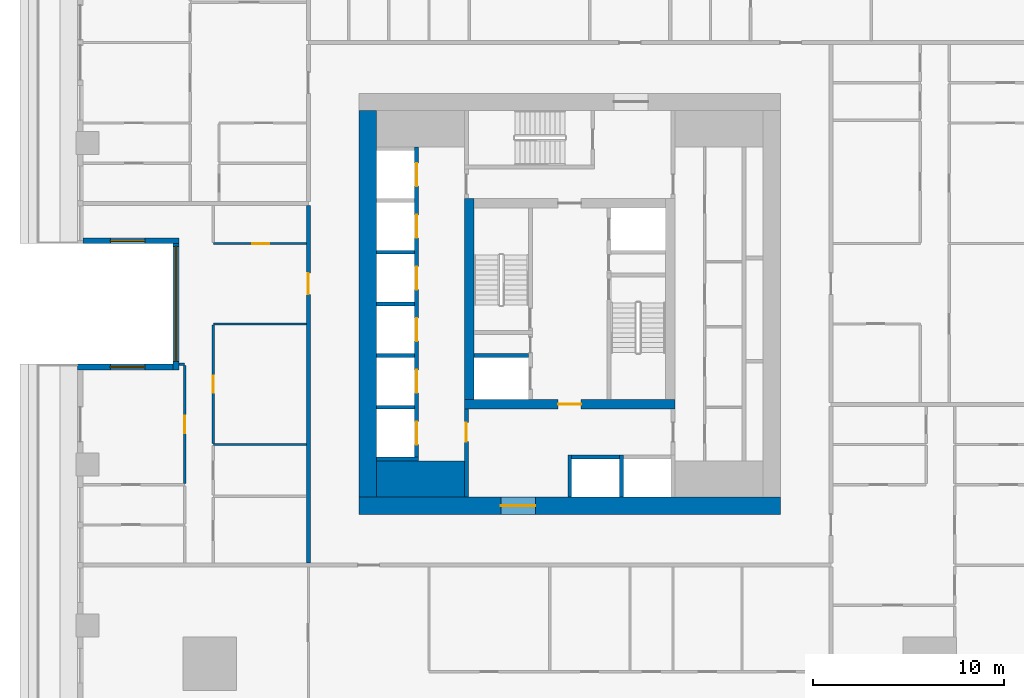
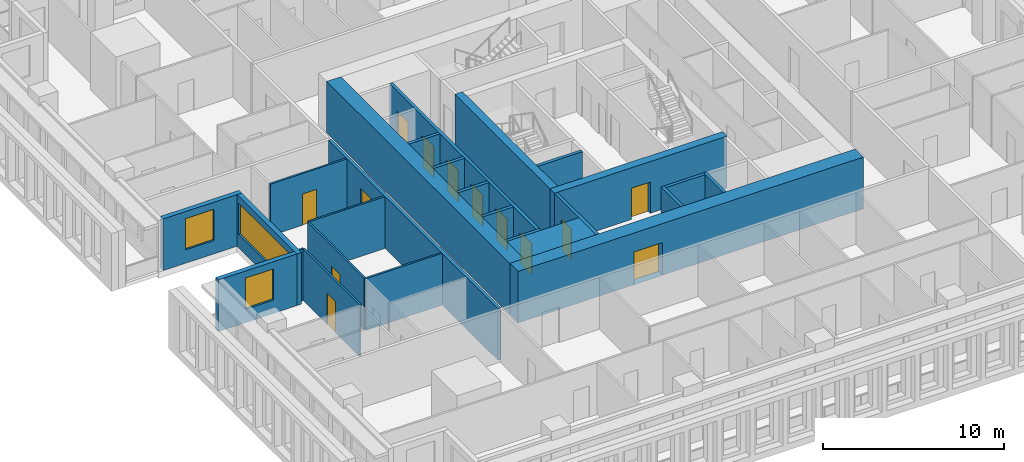
# One storey, part 3 of 15: 26 walls, 13 doors, 3 windows, 16 openings.
"""IFC4 building model written with IfcOpenShell, lengths in metres."""

from ifc_helpers import new_model, si_unit, direction, frame, frame_2d, origin, place, context, subcontext, project, spatial, rectangle, extrude, material, layer, layer_set, type_object, element, fill, save


model = new_model("IFC4")

# Units and contexts
model_context = context("Model", 3, precision=1e-05, world=origin(), true_north=direction((0.0, 1.0)))
body_context = subcontext(model_context, "Body", "Model", "MODEL_VIEW")
ifc_project = project(units=[si_unit("LENGTHUNIT", "METRE"), si_unit("AREAUNIT", "SQUARE_METRE"), si_unit("VOLUMEUNIT", "CUBIC_METRE"), si_unit("PLANEANGLEUNIT", "RADIAN"), si_unit("MASSUNIT", "GRAM", prefix="KILO")], contexts=[model_context])

# Site, building, storey
site_placement = place(None, origin())
site = spatial("IfcSite", under=ifc_project, at=site_placement, CompositionType="ELEMENT")
building_placement = place(site_placement, origin())
building = spatial("IfcBuilding", under=site, at=building_placement, Name="Khepri Terraces", CompositionType="ELEMENT")
storey_placement = place(building_placement, frame((0.0, 0.0, 83.10009765625)))
storey = spatial("IfcBuildingStorey", under=building, at=storey_placement, Name="L19", CompositionType="ELEMENT", Elevation=83.10009765625)

# Walls
ifc_material_1 = material(Name="Concrete C70/85", Category="concrete")
ifc_layer_1 = layer(ifc_material_1, 1.89990234375, Name="Concrete C70/85", Category="concrete")
ifc_layer_set_1 = layer_set([ifc_layer_1], Name="Concrete C70/85")
wall_type_1 = type_object("IfcWallType", Name="Core wall 1900 C70/85", PredefinedType="SHEAR", material=ifc_layer_set_1)
wall_1_placement = place(storey_placement, frame((-10.10009765625, -9.14990234375, 0.0), z_axis=(0.0, 0.0, 1.0), x_axis=(1.0, 0.0, 0.0)))
element("IfcWall", 1, at=wall_1_placement, inside=storey, type_object=wall_type_1, Name="Core wall PR01 L19", PredefinedType="SHEAR", context=body_context, shape_type="SweptSolid", body=[
    extrude(rectangle(XDim=4.60009765625, YDim=1.89990234375, at=frame_2d((2.300048828125, 0.0))), origin(), (0.0, 0.0, 1.0), 3.47998046875),
])
ifc_layer_2 = layer(ifc_material_1, 0.199951171875, Name="Concrete C70/85", Category="concrete")
ifc_layer_set_2 = layer_set([ifc_layer_2], Name="Concrete C70/85")
wall_type_2 = type_object("IfcWallType", Name="Core wall 200 C70/85", PredefinedType="SHEAR", material=ifc_layer_set_2)
for number, where, z_axis, x_axis, name in (
    (2, (0.0, -10.10009765625, 0.0), (0.0, 0.0, 1.0), (0.0, 1.0, 0.0), "Core wall SH01 L19"),
    (3, (2.699951171875, -10.10009765625, 0.0), (0.0, 0.0, 1.0), (0.0, 1.0, 0.0), "Core wall SH02 L19"),
    (4, (-10.10009765625, -8.10009765625, 0.0), (0.0, 0.0, 1.0), (1.0, 0.0, 0.0), "Core wall SH04 L19"),
):
    element("IfcWall", number, at=place(storey_placement, frame(where, z_axis=z_axis, x_axis=x_axis)), inside=storey, type_object=wall_type_2, Name=name, PredefinedType="SHEAR", context=body_context, shape_type="SweptSolid", body=[
        extrude(rectangle(XDim=2.2001953125, YDim=0.199951171875, at=frame_2d((1.10009765625, 0.0))), origin(), (0.0, 0.0, 1.0), 3.47998046875),
    ])
wall_2_placement = place(storey_placement, frame((0.10009765625, -8.0, 0.0), z_axis=(0.0, 0.0, 1.0), x_axis=(1.0, 0.0, 0.0)))
element("IfcWall", 5, at=wall_2_placement, inside=storey, type_object=wall_type_2, Name="Core wall SH06 L19", PredefinedType="SHEAR", context=body_context, shape_type="SweptSolid", body=[
    extrude(rectangle(XDim=2.5, YDim=0.199951171875, at=frame_2d((1.25, 0.0))), origin(), (0.0, 0.0, 1.0), 3.47998046875),
])

# Wall, openings, doors
wall_3_placement = place(storey_placement, frame((-8.0, -8.0, 0.0), z_axis=(0.0, 0.0, 1.0), x_axis=(0.0, 1.0, 0.0)))
wall_3 = element("IfcWall", 6, at=wall_3_placement, inside=storey, type_object=wall_type_2, Name="Core wall SH08 L19", PredefinedType="SHEAR", context=body_context, shape_type="SweptSolid", body=[
    extrude(rectangle(XDim=16.199951171875, YDim=0.199951171875, at=frame_2d((8.10009765625, 0.0))), origin(), (0.0, 0.0, 1.0), 3.47998046875),
])
opening_1_placement = place(wall_3_placement, frame((0.64990234375, 0.0, 0.0)))
opening_1 = element("IfcOpeningElement", 7, at=opening_1_placement, cuts=wall_3, Name="Opening L19-C01", PredefinedType="OPENING", context=body_context, shape_type="SweptSolid", body=[
    extrude(rectangle(XDim=1.199951171875, YDim=2.10009765625, at=frame_2d((0.60009765625, 1.050048828125))), frame((0.0, 0.10986328125, 0.0), z_axis=(0.0, -1.0, 0.0), x_axis=(1.0, 0.0, 0.0)), (0.0, 0.0, 1.0), 0.219970703125),
])
opening_2_placement = place(wall_3_placement, frame((3.35009765625, 0.0, 0.0)))
opening_2 = element("IfcOpeningElement", 8, at=opening_2_placement, cuts=wall_3, Name="Opening L19-C02", PredefinedType="OPENING", context=body_context, shape_type="SweptSolid", body=[
    extrude(rectangle(XDim=1.199951171875, YDim=2.10009765625, at=frame_2d((0.60009765625, 1.050048828125))), frame((0.0, 0.10986328125, 0.0), z_axis=(0.0, -1.0, 0.0), x_axis=(1.0, 0.0, 0.0)), (0.0, 0.0, 1.0), 0.219970703125),
])
opening_3_placement = place(wall_3_placement, frame((6.050048828125, 0.0, 0.0)))
opening_3 = element("IfcOpeningElement", 9, at=opening_3_placement, cuts=wall_3, Name="Opening L19-C03", PredefinedType="OPENING", context=body_context, shape_type="SweptSolid", body=[
    extrude(rectangle(XDim=1.199951171875, YDim=2.10009765625, at=frame_2d((0.60009765625, 1.050048828125))), frame((0.0, 0.10986328125, 0.0), z_axis=(0.0, -1.0, 0.0), x_axis=(1.0, 0.0, 0.0)), (0.0, 0.0, 1.0), 0.219970703125),
])
opening_4_placement = place(wall_3_placement, frame((8.75, 0.0, 0.0)))
opening_4 = element("IfcOpeningElement", 10, at=opening_4_placement, cuts=wall_3, Name="Opening L19-C04", PredefinedType="OPENING", context=body_context, shape_type="SweptSolid", body=[
    extrude(rectangle(XDim=1.199951171875, YDim=2.10009765625, at=frame_2d((0.60009765625, 1.050048828125))), frame((0.0, 0.10986328125, 0.0), z_axis=(0.0, -1.0, 0.0), x_axis=(1.0, 0.0, 0.0)), (0.0, 0.0, 1.0), 0.219970703125),
])
opening_5_placement = place(wall_3_placement, frame((11.449951171875, 0.0, 0.0)))
opening_5 = element("IfcOpeningElement", 11, at=opening_5_placement, cuts=wall_3, Name="Opening L19-C05", PredefinedType="OPENING", context=body_context, shape_type="SweptSolid", body=[
    extrude(rectangle(XDim=1.199951171875, YDim=2.10009765625, at=frame_2d((0.60009765625, 1.050048828125))), frame((0.0, 0.10986328125, 0.0), z_axis=(0.0, -1.0, 0.0), x_axis=(1.0, 0.0, 0.0)), (0.0, 0.0, 1.0), 0.219970703125),
])
opening_6_placement = place(wall_3_placement, frame((14.14990234375, 0.0, 0.0)))
opening_6 = element("IfcOpeningElement", 12, at=opening_6_placement, cuts=wall_3, Name="Opening L19-C06", PredefinedType="OPENING", context=body_context, shape_type="SweptSolid", body=[
    extrude(rectangle(XDim=1.199951171875, YDim=2.10009765625, at=frame_2d((0.60009765625, 1.050048828125))), frame((0.0, 0.10986328125, 0.0), z_axis=(0.0, -1.0, 0.0), x_axis=(1.0, 0.0, 0.0)), (0.0, 0.0, 1.0), 0.219970703125),
])
ifc_material_2 = material(Name="Stainless steel 304", Category="steel")
door_type_1 = type_object("IfcDoorType", Name="DR-CORE-LANDING-1200", OperationType="NOTDEFINED", PredefinedType="DOOR", material=ifc_material_2)
door_1_placement = place(opening_1_placement, origin())
door_1 = element("IfcDoor", 13, at=door_1_placement, inside=storey, type_object=door_type_1, Name="Lift landing door L19-C01", OperationType="SLIDING_TO_LEFT", OverallHeight=2.10009765625, OverallWidth=1.199951171875, PredefinedType="DOOR", context=body_context, shape_type="SweptSolid", body=[
    extrude(rectangle(XDim=1.199951171875, YDim=2.10009765625, at=frame_2d((0.60009765625, 1.050048828125))), frame((0.0, 0.02490234375, 0.0), z_axis=(0.0, -1.0, 0.0), x_axis=(1.0, 0.0, 0.0)), (0.0, 0.0, 1.0), 0.050048828125),
])
fill(opening_1, door_1)
door_2_placement = place(opening_2_placement, origin())
door_2 = element("IfcDoor", 14, at=door_2_placement, inside=storey, type_object=door_type_1, Name="Lift landing door L19-C02", OperationType="SLIDING_TO_LEFT", OverallHeight=2.10009765625, OverallWidth=1.199951171875, PredefinedType="DOOR", context=body_context, shape_type="SweptSolid", body=[
    extrude(rectangle(XDim=1.199951171875, YDim=2.10009765625, at=frame_2d((0.60009765625, 1.050048828125))), frame((0.0, 0.02490234375, 0.0), z_axis=(0.0, -1.0, 0.0), x_axis=(1.0, 0.0, 0.0)), (0.0, 0.0, 1.0), 0.050048828125),
])
fill(opening_2, door_2)
door_3_placement = place(opening_3_placement, origin())
door_3 = element("IfcDoor", 15, at=door_3_placement, inside=storey, type_object=door_type_1, Name="Lift landing door L19-C03", OperationType="SLIDING_TO_LEFT", OverallHeight=2.10009765625, OverallWidth=1.199951171875, PredefinedType="DOOR", context=body_context, shape_type="SweptSolid", body=[
    extrude(rectangle(XDim=1.199951171875, YDim=2.10009765625, at=frame_2d((0.60009765625, 1.050048828125))), frame((0.0, 0.02490234375, 0.0), z_axis=(0.0, -1.0, 0.0), x_axis=(1.0, 0.0, 0.0)), (0.0, 0.0, 1.0), 0.050048828125),
])
fill(opening_3, door_3)
door_4_placement = place(opening_4_placement, origin())
door_4 = element("IfcDoor", 16, at=door_4_placement, inside=storey, type_object=door_type_1, Name="Lift landing door L19-C04", OperationType="SLIDING_TO_LEFT", OverallHeight=2.10009765625, OverallWidth=1.199951171875, PredefinedType="DOOR", context=body_context, shape_type="SweptSolid", body=[
    extrude(rectangle(XDim=1.199951171875, YDim=2.10009765625, at=frame_2d((0.60009765625, 1.050048828125))), frame((0.0, 0.02490234375, 0.0), z_axis=(0.0, -1.0, 0.0), x_axis=(1.0, 0.0, 0.0)), (0.0, 0.0, 1.0), 0.050048828125),
])
fill(opening_4, door_4)
door_5_placement = place(opening_5_placement, origin())
door_5 = element("IfcDoor", 17, at=door_5_placement, inside=storey, type_object=door_type_1, Name="Lift landing door L19-C05", OperationType="SLIDING_TO_LEFT", OverallHeight=2.10009765625, OverallWidth=1.199951171875, PredefinedType="DOOR", context=body_context, shape_type="SweptSolid", body=[
    extrude(rectangle(XDim=1.199951171875, YDim=2.10009765625, at=frame_2d((0.60009765625, 1.050048828125))), frame((0.0, 0.02490234375, 0.0), z_axis=(0.0, -1.0, 0.0), x_axis=(1.0, 0.0, 0.0)), (0.0, 0.0, 1.0), 0.050048828125),
])
fill(opening_5, door_5)
door_6_placement = place(opening_6_placement, origin())
door_6 = element("IfcDoor", 18, at=door_6_placement, inside=storey, type_object=door_type_1, Name="Lift landing door L19-C06", OperationType="SLIDING_TO_LEFT", OverallHeight=2.10009765625, OverallWidth=1.199951171875, PredefinedType="DOOR", context=body_context, shape_type="SweptSolid", body=[
    extrude(rectangle(XDim=1.199951171875, YDim=2.10009765625, at=frame_2d((0.60009765625, 1.050048828125))), frame((0.0, 0.02490234375, 0.0), z_axis=(0.0, -1.0, 0.0), x_axis=(1.0, 0.0, 0.0)), (0.0, 0.0, 1.0), 0.050048828125),
])
fill(opening_6, door_6)

# Walls
for number, where, z_axis, x_axis, name in (
    (19, (-10.10009765625, -5.39990234375, 0.0), (0.0, 0.0, 1.0), (1.0, 0.0, 0.0), "Core wall SH09 L19"),
    (20, (-10.10009765625, -2.699951171875, 0.0), (0.0, 0.0, 1.0), (1.0, 0.0, 0.0), "Core wall SH12 L19"),
):
    element("IfcWall", number, at=place(storey_placement, frame(where, z_axis=z_axis, x_axis=x_axis)), inside=storey, type_object=wall_type_2, Name=name, PredefinedType="SHEAR", context=body_context, shape_type="SweptSolid", body=[
        extrude(rectangle(XDim=2.0, YDim=0.199951171875, at=frame_2d((1.0, 0.0))), origin(), (0.0, 0.0, 1.0), 3.47998046875),
    ])
wall_4_placement = place(storey_placement, frame((-5.0, -2.699951171875, 0.0), z_axis=(0.0, 0.0, 1.0), x_axis=(1.0, 0.0, 0.0)))
element("IfcWall", 21, at=wall_4_placement, inside=storey, type_object=wall_type_2, Name="Core wall SH13 L19", PredefinedType="SHEAR", context=body_context, shape_type="SweptSolid", body=[
    extrude(rectangle(XDim=2.85009765625, YDim=0.199951171875, at=frame_2d((1.425048828125, 0.0))), origin(), (0.0, 0.0, 1.0), 3.47998046875),
])
for number, where, z_axis, x_axis, name in (
    (22, (-10.10009765625, 0.0, 0.0), (0.0, 0.0, 1.0), (1.0, 0.0, 0.0), "Core wall SH14 L19"),
    (23, (-10.10009765625, 2.699951171875, 0.0), (0.0, 0.0, 1.0), (1.0, 0.0, 0.0), "Core wall SH17 L19"),
):
    element("IfcWall", number, at=place(storey_placement, frame(where, z_axis=z_axis, x_axis=x_axis)), inside=storey, type_object=wall_type_2, Name=name, PredefinedType="SHEAR", context=body_context, shape_type="SweptSolid", body=[
        extrude(rectangle(XDim=2.0, YDim=0.199951171875, at=frame_2d((1.0, 0.0))), origin(), (0.0, 0.0, 1.0), 3.47998046875),
    ])

# Wall, opening, door
ifc_layer_3 = layer(ifc_material_1, 0.5, Name="Concrete C70/85", Category="concrete")
ifc_layer_set_3 = layer_set([ifc_layer_3], Name="Concrete C70/85")
wall_type_3 = type_object("IfcWallType", Name="Core wall 500 C70/85", PredefinedType="SHEAR", material=ifc_layer_set_3)
wall_5_placement = place(storey_placement, frame((-5.5, -5.25, 0.0), z_axis=(0.0, 0.0, 1.0), x_axis=(1.0, 0.0, 0.0)))
wall_5 = element("IfcWall", 24, at=wall_5_placement, inside=storey, type_object=wall_type_3, Name="Core wall BX01 L19", PredefinedType="SHEAR", context=body_context, shape_type="SweptSolid", body=[
    extrude(rectangle(XDim=11.0, YDim=0.5, at=frame_2d((5.5, 0.0))), origin(), (0.0, 0.0, 1.0), 3.47998046875),
])
opening_7_placement = place(wall_5_placement, frame((4.89990234375, 0.0, 0.0)))
opening_7 = element("IfcOpeningElement", 25, at=opening_7_placement, cuts=wall_5, Name="Opening L19-C14", PredefinedType="OPENING", context=body_context, shape_type="SweptSolid", body=[
    extrude(rectangle(XDim=1.199951171875, YDim=2.10009765625, at=frame_2d((0.60009765625, 1.050048828125))), frame((0.0, 0.260009765625, 0.0), z_axis=(0.0, -1.0, 0.0), x_axis=(1.0, 0.0, 0.0)), (0.0, 0.0, 1.0), 0.52001953125),
])
ifc_material_3 = material(Name="Painted steel", Category="steel")
door_type_2 = type_object("IfcDoorType", Name="DR-CORE-FF-LOBBY-1200", OperationType="NOTDEFINED", PredefinedType="DOOR", material=ifc_material_3)
door_7_placement = place(opening_7_placement, origin())
door_7 = element("IfcDoor", 26, at=door_7_placement, inside=storey, type_object=door_type_2, Name="Firefighting lobby door L19-C14", OperationType="SINGLE_SWING_RIGHT", OverallHeight=2.10009765625, OverallWidth=1.199951171875, PredefinedType="DOOR", context=body_context, shape_type="SweptSolid", body=[
    extrude(rectangle(XDim=1.199951171875, YDim=2.10009765625, at=frame_2d((0.60009765625, 1.050048828125))), frame((0.0, 0.02490234375, 0.0), z_axis=(0.0, -1.0, 0.0), x_axis=(1.0, 0.0, 0.0)), (0.0, 0.0, 1.0), 0.050048828125),
])
fill(opening_7, door_7)

# Wall
wall_6_placement = place(storey_placement, frame((-5.25, -5.0, 0.0), z_axis=(0.0, 0.0, 1.0), x_axis=(0.0, 1.0, 0.0)))
element("IfcWall", 27, at=wall_6_placement, inside=storey, type_object=wall_type_3, Name="Core wall BX02 L19", PredefinedType="SHEAR", context=body_context, shape_type="SweptSolid", body=[
    extrude(rectangle(XDim=10.5, YDim=0.5, at=frame_2d((5.25, 0.0))), origin(), (0.0, 0.0, 1.0), 3.47998046875),
])

# Wall, opening, door
ifc_layer_4 = layer(ifc_material_1, 0.89990234375, Name="Concrete C70/85", Category="concrete")
ifc_layer_set_4 = layer_set([ifc_layer_4], Name="Concrete C70/85")
wall_type_4 = type_object("IfcWallType", Name="Core wall 900 C70/85", PredefinedType="SHEAR", material=ifc_layer_set_4)
wall_7_placement = place(storey_placement, frame((-11.0, -10.550048828125, 0.0), z_axis=(0.0, 0.0, 1.0), x_axis=(1.0, 0.0, 0.0)))
wall_7 = element("IfcWall", 28, at=wall_7_placement, inside=storey, type_object=wall_type_4, Name="Core wall OW-S L19", PredefinedType="SHEAR", context=body_context, shape_type="SweptSolid", body=[
    extrude(rectangle(XDim=22.0, YDim=0.89990234375, at=frame_2d((11.0, 0.0))), origin(), (0.0, 0.0, 1.0), 3.47998046875),
])
opening_8_placement = place(wall_7_placement, frame((7.39990234375, 0.0, 0.0)))
opening_8 = element("IfcOpeningElement", 29, at=opening_8_placement, cuts=wall_7, Name="Opening L19-C21", PredefinedType="OPENING", context=body_context, shape_type="SweptSolid", body=[
    extrude(rectangle(XDim=1.800048828125, YDim=2.199951171875, at=frame_2d((0.89990234375, 1.10009765625))), frame((0.0, 0.4599609375, 0.0), z_axis=(0.0, -1.0, 0.0), x_axis=(1.0, 0.0, 0.0)), (0.0, 0.0, 1.0), 0.919921875),
])
door_type_3 = type_object("IfcDoorType", Name="DR-CORE-ENTRANCE-1800", OperationType="NOTDEFINED", PredefinedType="DOOR", material=ifc_material_3)
door_8_placement = place(opening_8_placement, frame((1.800048828125, 0.0, 0.0), z_axis=(0.0, 0.0, 1.0), x_axis=(-1.0, 0.0, 0.0)))
door_8 = element("IfcDoor", 30, at=door_8_placement, inside=storey, type_object=door_type_3, Name="Core entrance door pair L19-C21", OperationType="DOUBLE_DOOR_SINGLE_SWING", OverallHeight=2.199951171875, OverallWidth=1.800048828125, PredefinedType="DOOR", context=body_context, shape_type="SweptSolid", body=[
    extrude(rectangle(XDim=1.800048828125, YDim=2.199951171875, at=frame_2d((0.89990234375, 1.10009765625))), frame((0.0, 0.02490234375, 0.0), z_axis=(0.0, -1.0, 0.0), x_axis=(1.0, 0.0, 0.0)), (0.0, 0.0, 1.0), 0.050048828125),
])
fill(opening_8, door_8)

# Wall
wall_8_placement = place(storey_placement, frame((-10.550048828125, -10.10009765625, 0.0), z_axis=(0.0, 0.0, 1.0), x_axis=(0.0, 1.0, 0.0)))
element("IfcWall", 31, at=wall_8_placement, inside=storey, type_object=wall_type_4, Name="Core wall OW-W L19", PredefinedType="SHEAR", context=body_context, shape_type="SweptSolid", body=[
    extrude(rectangle(XDim=20.2001953125, YDim=0.89990234375, at=frame_2d((10.10009765625, 0.0))), origin(), (0.0, 0.0, 1.0), 3.47998046875),
])

# Wall, opening, door
ifc_material_4 = material(Name="Fire-rated gypsum board partition")
ifc_layer_5 = layer(ifc_material_4, 0.199951171875, Name="Fire-rated gypsum board partition")
ifc_layer_set_5 = layer_set([ifc_layer_5], Name="Fire-rated gypsum board partition")
wall_type_5 = type_object("IfcWallType", Name="WL-CORE-PART-200", PredefinedType="PARTITIONING", material=ifc_layer_set_5)
wall_9_placement = place(storey_placement, frame((-5.39990234375, -10.10009765625, 0.0), z_axis=(0.0, 0.0, 1.0), x_axis=(0.0, 1.0, 0.0)))
wall_9 = element("IfcWall", 32, at=wall_9_placement, inside=storey, type_object=wall_type_5, Name="Core partition PT01 L19", PredefinedType="PARTITIONING", context=body_context, shape_type="SweptSolid", body=[
    extrude(rectangle(XDim=4.60009765625, YDim=0.199951171875, at=frame_2d((2.300048828125, 0.0))), origin(), (0.0, 0.0, 1.0), 3.47998046875),
])
opening_9_placement = place(wall_9_placement, frame((2.89990234375, 0.0, 0.0)))
opening_9 = element("IfcOpeningElement", 33, at=opening_9_placement, cuts=wall_9, Name="Opening L19-C18", PredefinedType="OPENING", context=body_context, shape_type="SweptSolid", body=[
    extrude(rectangle(XDim=1.0, YDim=2.10009765625, at=frame_2d((0.5, 1.050048828125))), frame((0.0, 0.10986328125, 0.0), z_axis=(0.0, -1.0, 0.0), x_axis=(1.0, 0.0, 0.0)), (0.0, 0.0, 1.0), 0.219970703125),
])
door_type_4 = type_object("IfcDoorType", Name="DR-CORE-LOBBY-1000", OperationType="NOTDEFINED", PredefinedType="DOOR", material=ifc_material_3)
door_9_placement = place(opening_9_placement, frame((1.0, 0.0, 0.0), z_axis=(0.0, 0.0, 1.0), x_axis=(-1.0, 0.0, 0.0)))
door_9 = element("IfcDoor", 34, at=door_9_placement, inside=storey, type_object=door_type_4, Name="Lobby door L19-C18", OperationType="SINGLE_SWING_LEFT", OverallHeight=2.10009765625, OverallWidth=1.0, PredefinedType="DOOR", context=body_context, shape_type="SweptSolid", body=[
    extrude(rectangle(XDim=1.0, YDim=2.10009765625, at=frame_2d((0.5, 1.050048828125))), frame((0.0, 0.02490234375, 0.0), z_axis=(0.0, -1.0, 0.0), x_axis=(1.0, 0.0, 0.0)), (0.0, 0.0, 1.0), 0.050048828125),
])
fill(opening_9, door_9)

ifc_material_5 = material(Name="Fire-rated gypsum plasterboard partition, mineral wool")
ifc_layer_6 = layer(ifc_material_5, 0.199951171875, Name="Fire-rated gypsum plasterboard partition, mineral wool")
ifc_layer_set_6 = layer_set([ifc_layer_6], Name="Fire-rated gypsum plasterboard partition, mineral wool")
wall_type_6 = type_object("IfcWallType", Name="WL-CORR-200", PredefinedType="PARTITIONING", material=ifc_layer_set_6)
wall_10_placement = place(storey_placement, frame((-13.64990234375, -13.550048828125, 0.0), z_axis=(0.0, 0.0, 1.0), x_axis=(0.0, 1.0, 0.0)))
wall_10 = element("IfcWall", 35, at=wall_10_placement, inside=storey, type_object=wall_type_6, Name="Partition P-027 L19", PredefinedType="PARTITIONING", context=body_context, shape_type="SweptSolid", body=[
    extrude(rectangle(XDim=18.699951171875, YDim=0.199951171875, at=frame_2d((9.35009765625, 0.0))), origin(), (0.0, 0.0, 1.0), 3.47998046875),
])
opening_10_placement = place(wall_10_placement, frame((14.050048828125, 0.0, 0.0)))
opening_10 = element("IfcOpeningElement", 36, at=opening_10_placement, cuts=wall_10, Name="Opening D1", PredefinedType="OPENING", context=body_context, shape_type="SweptSolid", body=[
    extrude(rectangle(XDim=1.10009765625, YDim=2.39990234375, at=frame_2d((0.550048828125, 1.199951171875))), frame((0.0, 0.10986328125, 0.0), z_axis=(0.0, -1.0, 0.0), x_axis=(1.0, 0.0, 0.0)), (0.0, 0.0, 1.0), 0.219970703125),
])
ifc_material_6 = material(Name="Solid-core timber door leaf, flat entrance door", Category="wood")
door_type_5 = type_object("IfcDoorType", Name="DR-ENT-1100", OperationType="NOTDEFINED", PredefinedType="DOOR", material=ifc_material_6)
door_10_placement = place(opening_10_placement, origin())
door_10 = element("IfcDoor", 37, at=door_10_placement, inside=storey, type_object=door_type_5, Name="Flat D2 entrance door", OperationType="SINGLE_SWING_RIGHT", OverallHeight=2.39990234375, OverallWidth=1.10009765625, PredefinedType="DOOR", context=body_context, shape_type="SweptSolid", body=[
    extrude(rectangle(XDim=1.10009765625, YDim=2.39990234375, at=frame_2d((0.550048828125, 1.199951171875))), frame((0.0, 0.02490234375, 0.0), z_axis=(0.0, -1.0, 0.0), x_axis=(1.0, 0.0, 0.0)), (0.0, 0.0, 1.0), 0.050048828125),
])
fill(opening_10, door_10)

# Wall, opening, window
ifc_material_7 = material(Name="Precast concrete C50/60 warm stone", Category="masonry")
ifc_layer_7 = layer(ifc_material_7, 0.300048828125, Name="Precast concrete C50/60 warm stone", Category="masonry")
ifc_layer_set_7 = layer_set([ifc_layer_7], Name="Precast concrete C50/60 warm stone")
wall_type_7 = type_object("IfcWallType", Name="WL-EXT-PRECAST-300", PredefinedType="STANDARD", material=ifc_layer_set_7)
wall_11_placement = place(storey_placement, frame((-25.419921875, 3.300048828125, 0.0), z_axis=(0.0, 0.0, 1.0), x_axis=(1.0, 0.0, 0.0)))
wall_11 = element("IfcWall", 38, at=wall_11_placement, inside=storey, type_object=wall_type_7, Name="External wall L19 S", PredefinedType="STANDARD", context=body_context, shape_type="SweptSolid", body=[
    extrude(rectangle(XDim=5.0, YDim=0.300048828125, at=frame_2d((2.5, 0.0))), origin(), (0.0, 0.0, 1.0), 3.47998046875),
])
opening_11_placement = place(wall_11_placement, frame((1.419921875, 0.0, 0.89990234375)))
opening_11 = element("IfcOpeningElement", 39, at=opening_11_placement, cuts=wall_11, Name="Opening W1", PredefinedType="OPENING", context=body_context, shape_type="SweptSolid", body=[
    extrude(rectangle(XDim=1.800048828125, YDim=2.10009765625, at=frame_2d((0.89990234375, 1.050048828125))), frame((0.0, 0.16015625, 0.0), z_axis=(0.0, -1.0, 0.0), x_axis=(1.0, 0.0, 0.0)), (0.0, 0.0, 1.0), 0.320068359375),
])
ifc_material_8 = material(Name="Clear glass", Category="glass")
window_type_1 = type_object("IfcWindowType", Name="WIN-RES-1800x2100", PartitioningType="SINGLE_PANEL", PredefinedType="WINDOW", material=ifc_material_8)
window_1_placement = place(opening_11_placement, origin())
window_1 = element("IfcWindow", 40, at=window_1_placement, inside=storey, type_object=window_type_1, Name="Window L19 S", OverallHeight=2.10009765625, OverallWidth=1.800048828125, PartitioningType="SINGLE_PANEL", PredefinedType="WINDOW", context=body_context, shape_type="SweptSolid", body=[
    extrude(rectangle(XDim=1.800048828125, YDim=2.10009765625, at=frame_2d((0.89990234375, 1.050048828125))), frame((0.0, 0.030029296875, 0.0), z_axis=(0.0, -1.0, 0.0), x_axis=(1.0, 0.0, 0.0)), (0.0, 0.0, 1.0), 0.06005859375),
])
fill(opening_11, window_1)

wall_12_placement = place(storey_placement, frame((-20.570068359375, 3.14990234375, 0.0), z_axis=(0.0, 0.0, 1.0), x_axis=(0.0, -1.0, 0.0)))
wall_12 = element("IfcWall", 41, at=wall_12_placement, inside=storey, type_object=wall_type_7, Name="External wall L19 W", PredefinedType="STANDARD", context=body_context, shape_type="SweptSolid", body=[
    extrude(rectangle(XDim=6.599853515625, YDim=0.300048828125, at=frame_2d((3.2998046875, 0.0))), origin(), (0.0, 0.0, 1.0), 3.47998046875),
])
opening_12_placement = place(wall_12_placement, frame((0.14990234375, 0.0, 0.89990234375)))
opening_12 = element("IfcOpeningElement", 42, at=opening_12_placement, cuts=wall_12, Name="Opening W3", PredefinedType="OPENING", context=body_context, shape_type="SweptSolid", body=[
    extrude(rectangle(XDim=6.0, YDim=2.10009765625, at=frame_2d((3.0, 1.050048828125))), frame((0.0, 0.16015625, 0.0), z_axis=(0.0, -1.0, 0.0), x_axis=(1.0, 0.0, 0.0)), (0.0, 0.0, 1.0), 0.320068359375),
])
window_type_2 = type_object("IfcWindowType", Name="WIN-RES-6000x2100", PartitioningType="SINGLE_PANEL", PredefinedType="WINDOW", material=ifc_material_8)
window_2_placement = place(opening_12_placement, origin())
window_2 = element("IfcWindow", 43, at=window_2_placement, inside=storey, type_object=window_type_2, Name="Window L19 W", OverallHeight=2.10009765625, OverallWidth=6.0, PartitioningType="SINGLE_PANEL", PredefinedType="WINDOW", context=body_context, shape_type="SweptSolid", body=[
    extrude(rectangle(XDim=6.0, YDim=2.10009765625, at=frame_2d((3.0, 1.050048828125))), frame((0.0, 0.030029296875, 0.0), z_axis=(0.0, -1.0, 0.0), x_axis=(1.0, 0.0, 0.0)), (0.0, 0.0, 1.0), 0.06005859375),
])
fill(opening_12, window_2)

wall_13_placement = place(storey_placement, frame((-20.719970703125, -3.300048828125, 0.0), z_axis=(0.0, 0.0, 1.0), x_axis=(-1.0, 0.0, 0.0)))
wall_13 = element("IfcWall", 44, at=wall_13_placement, inside=storey, type_object=wall_type_7, Name="External wall L19 N", PredefinedType="STANDARD", context=body_context, shape_type="SweptSolid", body=[
    extrude(rectangle(XDim=5.0, YDim=0.300048828125, at=frame_2d((2.5, 0.0))), origin(), (0.0, 0.0, 1.0), 3.47998046875),
])
opening_13_placement = place(wall_13_placement, frame((1.47998046875, 0.0, 0.89990234375)))
opening_13 = element("IfcOpeningElement", 45, at=opening_13_placement, cuts=wall_13, Name="Opening W1", PredefinedType="OPENING", context=body_context, shape_type="SweptSolid", body=[
    extrude(rectangle(XDim=1.800048828125, YDim=2.10009765625, at=frame_2d((0.89990234375, 1.050048828125))), frame((0.0, 0.16015625, 0.0), z_axis=(0.0, -1.0, 0.0), x_axis=(1.0, 0.0, 0.0)), (0.0, 0.0, 1.0), 0.320068359375),
])
window_3_placement = place(opening_13_placement, origin())
window_3 = element("IfcWindow", 46, at=window_3_placement, inside=storey, type_object=window_type_1, Name="Window L19 N", OverallHeight=2.10009765625, OverallWidth=1.800048828125, PartitioningType="SINGLE_PANEL", PredefinedType="WINDOW", context=body_context, shape_type="SweptSolid", body=[
    extrude(rectangle(XDim=1.800048828125, YDim=2.10009765625, at=frame_2d((0.89990234375, 1.050048828125))), frame((0.0, 0.030029296875, 0.0), z_axis=(0.0, -1.0, 0.0), x_axis=(1.0, 0.0, 0.0)), (0.0, 0.0, 1.0), 0.06005859375),
])
fill(opening_13, window_3)

# Wall, opening, door
ifc_material_9 = material(Name="Gypsum plasterboard partition")
ifc_layer_8 = layer(ifc_material_9, 0.1201171875, Name="Gypsum plasterboard partition")
ifc_layer_set_8 = layer_set([ifc_layer_8], Name="Gypsum plasterboard partition")
wall_type_8 = type_object("IfcWallType", Name="WL-PART-120", PredefinedType="PARTITIONING", material=ifc_layer_set_8)
wall_14_placement = place(storey_placement, frame((-20.1201171875, -9.389892578125, 0.0), z_axis=(0.0, 0.0, 1.0), x_axis=(0.0, 1.0, 0.0)))
wall_14 = element("IfcWall", 47, at=wall_14_placement, inside=storey, type_object=wall_type_8, Name="Partition P-036 L19", PredefinedType="PARTITIONING", context=body_context, shape_type="SweptSolid", body=[
    extrude(rectangle(XDim=6.179931640625, YDim=0.1201171875, at=frame_2d((3.08984375, 0.0))), origin(), (0.0, 0.0, 1.0), 3.47998046875),
])
opening_14_placement = place(wall_14_placement, frame((2.639892578125, 0.0, 0.0)))
opening_14 = element("IfcOpeningElement", 48, at=opening_14_placement, cuts=wall_14, Name="Opening D3", PredefinedType="OPENING", context=body_context, shape_type="SweptSolid", body=[
    extrude(rectangle(XDim=0.89990234375, YDim=2.10009765625, at=frame_2d((0.449951171875, 1.050048828125))), frame((0.0, 0.070068359375, 0.0), z_axis=(0.0, -1.0, 0.0), x_axis=(1.0, 0.0, 0.0)), (0.0, 0.0, 1.0), 0.14013671875),
])
ifc_material_10 = material(Name="Timber door leaf", Category="wood")
door_type_6 = type_object("IfcDoorType", Name="DR-INT-900", OperationType="NOTDEFINED", PredefinedType="DOOR", material=ifc_material_10)
door_11_placement = place(opening_14_placement, origin())
door_11 = element("IfcDoor", 49, at=door_11_placement, inside=storey, type_object=door_type_6, Name="Door Master Bedroom", OperationType="SINGLE_SWING_RIGHT", OverallHeight=2.10009765625, OverallWidth=0.89990234375, PredefinedType="DOOR", context=body_context, shape_type="SweptSolid", body=[
    extrude(rectangle(XDim=0.89990234375, YDim=2.10009765625, at=frame_2d((0.449951171875, 1.050048828125))), frame((0.0, 0.02490234375, 0.0), z_axis=(0.0, -1.0, 0.0), x_axis=(1.0, 0.0, 0.0)), (0.0, 0.0, 1.0), 0.050048828125),
])
fill(opening_14, door_11)

# Wall
wall_15_placement = place(storey_placement, frame((-18.6201171875, -7.35009765625, 0.0), z_axis=(0.0, 0.0, 1.0), x_axis=(1.0, 0.0, 0.0)))
element("IfcWall", 50, at=wall_15_placement, inside=storey, type_object=wall_type_8, Name="Partition P-039 L19", PredefinedType="PARTITIONING", context=body_context, shape_type="SweptSolid", body=[
    extrude(rectangle(XDim=4.8701171875, YDim=0.1201171875, at=frame_2d((2.43505859375, 0.0))), origin(), (0.0, 0.0, 1.0), 3.47998046875),
])

# Wall, opening, door
wall_16_placement = place(storey_placement, frame((-18.6201171875, -7.2900390625, 0.0), z_axis=(0.0, 0.0, 1.0), x_axis=(0.0, 1.0, 0.0)))
wall_16 = element("IfcWall", 51, at=wall_16_placement, inside=storey, type_object=wall_type_8, Name="Partition P-042 L19", PredefinedType="PARTITIONING", context=body_context, shape_type="SweptSolid", body=[
    extrude(rectangle(XDim=6.179931640625, YDim=0.1201171875, at=frame_2d((3.08984375, 0.0))), origin(), (0.0, 0.0, 1.0), 3.47998046875),
])
opening_15_placement = place(wall_16_placement, frame((2.639892578125, 0.0, 0.0)))
opening_15 = element("IfcOpeningElement", 52, at=opening_15_placement, cuts=wall_16, Name="Opening D3", PredefinedType="OPENING", context=body_context, shape_type="SweptSolid", body=[
    extrude(rectangle(XDim=0.89990234375, YDim=2.10009765625, at=frame_2d((0.449951171875, 1.050048828125))), frame((0.0, 0.070068359375, 0.0), z_axis=(0.0, -1.0, 0.0), x_axis=(1.0, 0.0, 0.0)), (0.0, 0.0, 1.0), 0.14013671875),
])
door_12_placement = place(opening_15_placement, frame((0.89990234375, 0.0, 0.0), z_axis=(0.0, 0.0, 1.0), x_axis=(-1.0, 0.0, 0.0)))
door_12 = element("IfcDoor", 53, at=door_12_placement, inside=storey, type_object=door_type_6, Name="Door Kitchen", OperationType="SINGLE_SWING_LEFT", OverallHeight=2.10009765625, OverallWidth=0.89990234375, PredefinedType="DOOR", context=body_context, shape_type="SweptSolid", body=[
    extrude(rectangle(XDim=0.89990234375, YDim=2.10009765625, at=frame_2d((0.449951171875, 1.050048828125))), frame((0.0, 0.02490234375, 0.0), z_axis=(0.0, -1.0, 0.0), x_axis=(1.0, 0.0, 0.0)), (0.0, 0.0, 1.0), 0.050048828125),
])
fill(opening_15, door_12)

# Walls
wall_17_placement = place(storey_placement, frame((-20.419921875, -3.14990234375, 0.0), z_axis=(0.0, 0.0, 1.0), x_axis=(1.0, 0.0, 0.0)))
element("IfcWall", 54, at=wall_17_placement, inside=storey, type_object=wall_type_8, Name="Partition P-049 L19", PredefinedType="PARTITIONING", context=body_context, shape_type="SweptSolid", body=[
    extrude(rectangle(XDim=0.2998046875, YDim=0.1201171875, at=frame_2d((0.14990234375, 0.0))), origin(), (0.0, 0.0, 1.0), 3.47998046875),
])
wall_18_placement = place(storey_placement, frame((-18.6201171875, -1.050048828125, 0.0), z_axis=(0.0, 0.0, 1.0), x_axis=(1.0, 0.0, 0.0)))
element("IfcWall", 55, at=wall_18_placement, inside=storey, type_object=wall_type_8, Name="Partition P-050 L19", PredefinedType="PARTITIONING", context=body_context, shape_type="SweptSolid", body=[
    extrude(rectangle(XDim=4.8701171875, YDim=0.1201171875, at=frame_2d((2.43505859375, 0.0))), origin(), (0.0, 0.0, 1.0), 3.47998046875),
])

# Wall, opening, door
wall_19_placement = place(storey_placement, frame((-18.6201171875, 3.14990234375, 0.0), z_axis=(0.0, 0.0, 1.0), x_axis=(1.0, 0.0, 0.0)))
wall_19 = element("IfcWall", 56, at=wall_19_placement, inside=storey, type_object=wall_type_8, Name="Partition P-052 L19", PredefinedType="PARTITIONING", context=body_context, shape_type="SweptSolid", body=[
    extrude(rectangle(XDim=4.8701171875, YDim=0.1201171875, at=frame_2d((2.43505859375, 0.0))), origin(), (0.0, 0.0, 1.0), 3.47998046875),
])
opening_16_placement = place(wall_19_placement, frame((2.034912109375, 0.0, 0.0)))
opening_16 = element("IfcOpeningElement", 57, at=opening_16_placement, cuts=wall_19, Name="Opening D4", PredefinedType="OPENING", context=body_context, shape_type="SweptSolid", body=[
    extrude(rectangle(XDim=0.89990234375, YDim=2.10009765625, at=frame_2d((0.449951171875, 1.050048828125))), frame((0.0, 0.070068359375, 0.0), z_axis=(0.0, -1.0, 0.0), x_axis=(1.0, 0.0, 0.0)), (0.0, 0.0, 1.0), 0.14013671875),
])
ifc_material_11 = material(Name="Timber door leaf, moisture resistant", Category="wood")
door_type_7 = type_object("IfcDoorType", Name="DR-WET-900", OperationType="NOTDEFINED", PredefinedType="DOOR", material=ifc_material_11)
door_13_placement = place(opening_16_placement, origin())
door_13 = element("IfcDoor", 58, at=door_13_placement, inside=storey, type_object=door_type_7, Name="Door Guest Bathroom", OperationType="SINGLE_SWING_RIGHT", OverallHeight=2.10009765625, OverallWidth=0.89990234375, PredefinedType="DOOR", context=body_context, shape_type="SweptSolid", body=[
    extrude(rectangle(XDim=0.89990234375, YDim=2.10009765625, at=frame_2d((0.449951171875, 1.050048828125))), frame((0.0, 0.02490234375, 0.0), z_axis=(0.0, -1.0, 0.0), x_axis=(1.0, 0.0, 0.0)), (0.0, 0.0, 1.0), 0.050048828125),
])
fill(opening_16, door_13)

save(model, "model.ifc")
